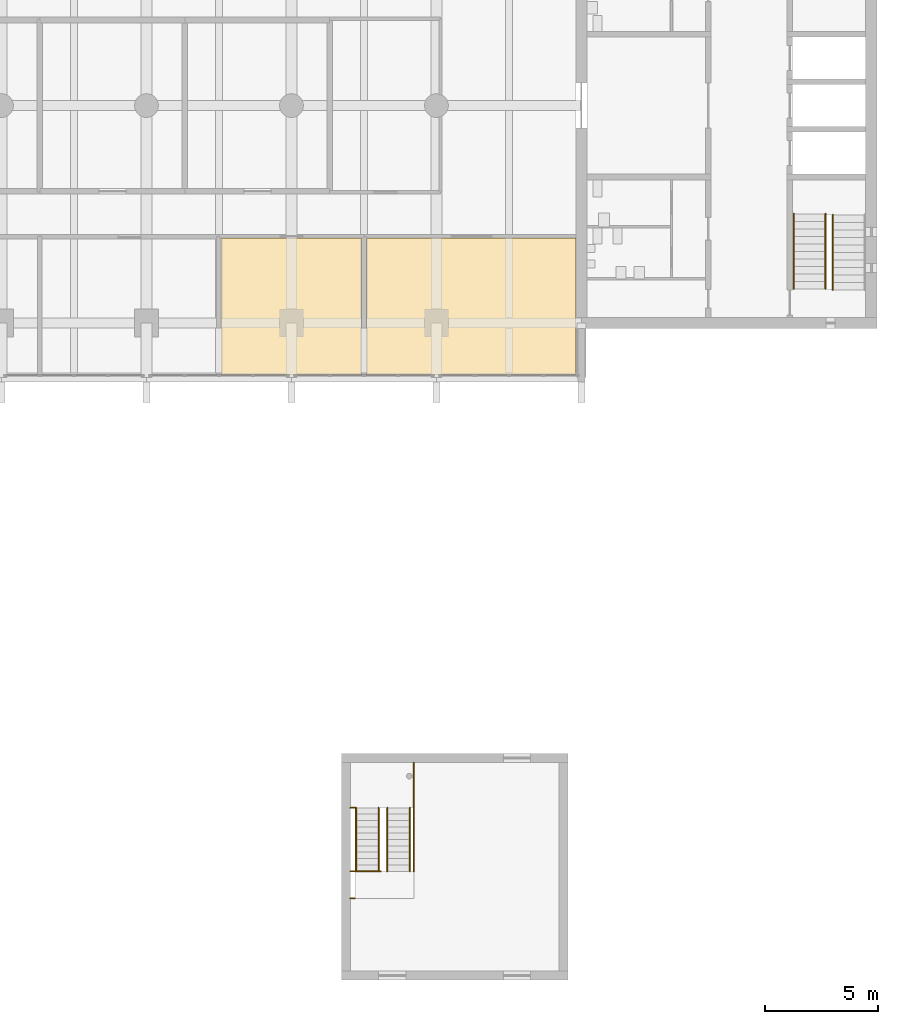
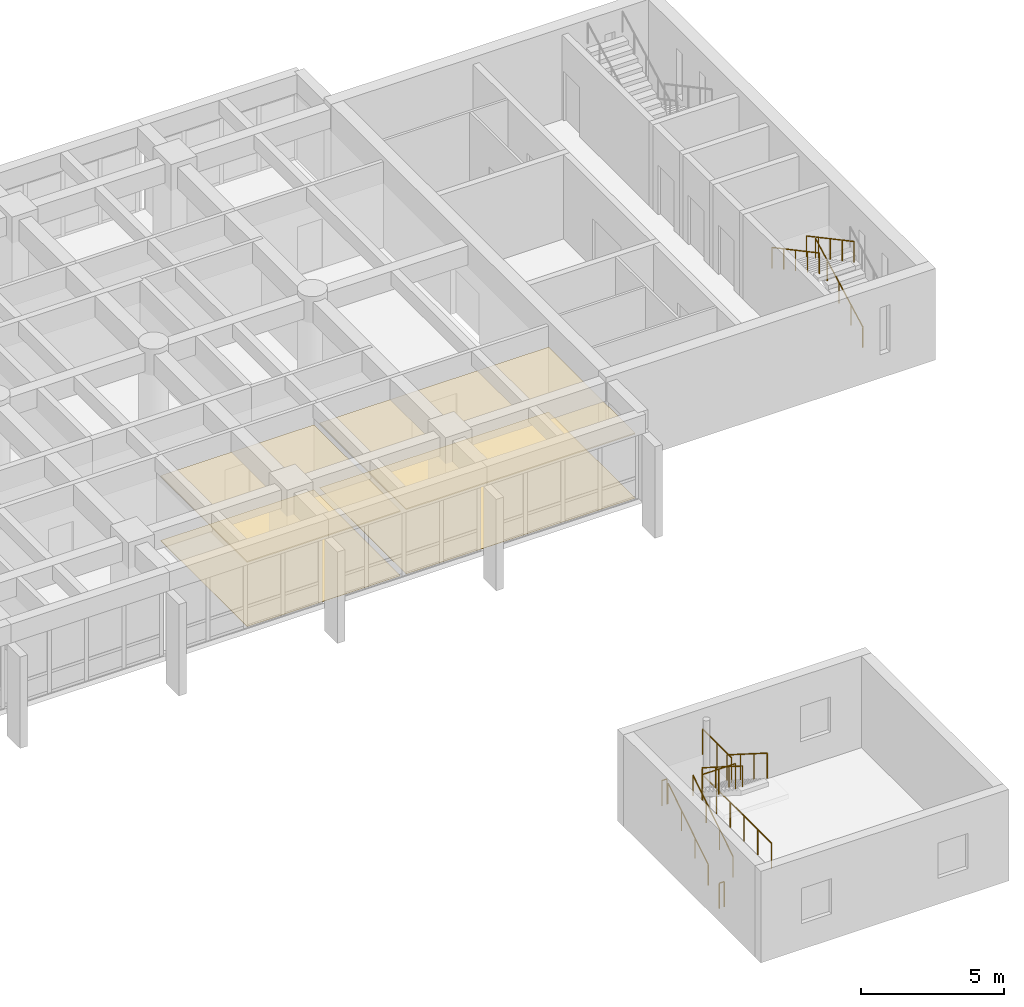
# One storey, part 17 of 19: 12 railings, 4 coverings.
"""IFC4 building model written with IfcOpenShell, lengths in metres."""

from ifc_helpers import new_model, si_unit, direction, frame, origin, origin_2d, place, context, subcontext, project, spatial, polyline, circle, outline, extrude, material, layer, layer_set, type_object, element, save


model = new_model("IFC4")

# Units and contexts
model_context = context("Model", 3, precision=1e-05, world=origin(), true_north=direction((0.0, 1.0)))
body_context = subcontext(model_context, "Body", "Model", "MODEL_VIEW")
ifc_project = project(units=[si_unit("LENGTHUNIT", "METRE"), si_unit("AREAUNIT", "SQUARE_METRE"), si_unit("VOLUMEUNIT", "CUBIC_METRE"), si_unit("PLANEANGLEUNIT", "RADIAN"), si_unit("MASSUNIT", "GRAM", prefix="KILO")], contexts=[model_context])

# Site, building, storey
site_placement = place(None, origin())
site = spatial("IfcSite", under=ifc_project, at=site_placement, CompositionType="ELEMENT")
building_placement = place(site_placement, origin())
building = spatial("IfcBuilding", under=site, at=building_placement, Name="Fogon Plaza Fire Station and Headquarters Tower", CompositionType="ELEMENT")
storey_placement = place(building_placement, frame((0.0, 0.0, 21.0)))
storey = spatial("IfcBuildingStorey", under=building, at=storey_placement, Name="L05", CompositionType="ELEMENT", Elevation=21.0)

# Railings
ifc_material_1 = material(Name="Stainless Steel", Category="steel")
railing_type_1 = type_object("IfcRailingType", Name="Guard Steel 1100", PredefinedType="GUARDRAIL", material=ifc_material_1)
railing_1_placement = place(storey_placement, frame((56.60009765625, 9.39990234375, 0.0)))
element("IfcRailing", 1, at=railing_1_placement, inside=storey, type_object=railing_type_1, Name="rail-DT1-L05-edge", PredefinedType="GUARDRAIL", context=body_context, shape_type="SweptSolid", body=[
    extrude(circle(Radius=0.02392578125, at=origin_2d()), frame((0.0, 0.0, 1.076171875), z_axis=(0.0, 1.0, 0.0), x_axis=(-1.0, 0.0, 0.0)), (0.0, 0.0, 1.0), 4.800048828125),
    extrude(circle(Radius=0.02099609375, at=origin_2d()), origin(), (0.0, 0.0, 1.0), 1.052001953125),
    extrude(circle(Radius=0.02099609375, at=origin_2d()), frame((0.0, 0.9599609375, 0.0)), (0.0, 0.0, 1.0), 1.052001953125),
    extrude(circle(Radius=0.02099609375, at=origin_2d()), frame((0.0, 1.919921875, 0.0)), (0.0, 0.0, 1.0), 1.052001953125),
    extrude(circle(Radius=0.02099609375, at=origin_2d()), frame((0.0, 2.880126953125, 0.0)), (0.0, 0.0, 1.0), 1.052001953125),
    extrude(circle(Radius=0.02099609375, at=origin_2d()), frame((0.0, 3.840087890625, 0.0)), (0.0, 0.0, 1.0), 1.052001953125),
    extrude(circle(Radius=0.02099609375, at=origin_2d()), frame((0.0, 4.800048828125, 0.0)), (0.0, 0.0, 1.0), 1.052001953125),
])
railing_2_placement = place(storey_placement, frame((53.800048828125, 8.199951171875, 0.0)))
element("IfcRailing", 2, at=railing_2_placement, inside=storey, type_object=railing_type_1, Name="rail-DT1-L05-slotmouth", PredefinedType="GUARDRAIL", context=body_context, shape_type="SweptSolid", body=[
    extrude(circle(Radius=0.02392578125, at=origin_2d()), frame((0.0, 0.0, 1.076171875), z_axis=(1.0, 0.0, 0.0), x_axis=(0.0, 1.0, 0.0)), (0.0, 0.0, 1.0), 0.199951171875),
    extrude(circle(Radius=0.02099609375, at=origin_2d()), origin(), (0.0, 0.0, 1.0), 1.052001953125),
    extrude(circle(Radius=0.02099609375, at=origin_2d()), frame((0.199951171875, 0.0, 0.0)), (0.0, 0.0, 1.0), 1.052001953125),
])
railing_3_placement = place(storey_placement, frame((56.429931640625, 12.199951171875, 2.127197265625)))
element("IfcRailing", 3, at=railing_3_placement, inside=storey, type_object=railing_type_1, Name="rail-DT1-L05-4", PredefinedType="GUARDRAIL", context=body_context, shape_type="SweptSolid", body=[
    extrude(circle(Radius=0.02392578125, at=origin_2d()), frame((0.0, 0.0, 1.076171875), z_axis=(0.0, -0.844908973607, 0.534910110503), x_axis=(1.0, 0.0, 0.0)), (0.0, 0.0, 1.0), 3.31396484375),
    extrude(circle(Radius=0.02099609375, at=origin_2d()), origin(), (0.0, 0.0, 1.0), 1.052001953125),
    extrude(circle(Radius=0.02099609375, at=origin_2d()), frame((0.0, -0.933349609375, 0.5908203125)), (0.0, 0.0, 1.0), 1.052001953125),
    extrude(circle(Radius=0.02099609375, at=origin_2d()), frame((0.0, -1.86669921875, 1.181884765625)), (0.0, 0.0, 1.0), 1.052001953125),
    extrude(circle(Radius=0.02099609375, at=origin_2d()), frame((0.0, -2.800048828125, 1.772705078125)), (0.0, 0.0, 1.0), 1.052001953125),
])
railing_4_placement = place(storey_placement, frame((53.800048828125, 9.39990234375, 3.89990234375)))
element("IfcRailing", 4, at=railing_4_placement, inside=storey, type_object=railing_type_1, Name="rail-DT1-L05-5", PredefinedType="GUARDRAIL", context=body_context, shape_type="SweptSolid", body=[
    extrude(circle(Radius=0.02392578125, at=origin_2d()), frame((0.0, 0.0, 1.076171875), z_axis=(1.0, 0.0, 0.0), x_axis=(0.0, 1.0, 0.0)), (0.0, 0.0, 1.0), 1.349853515625),
    extrude(circle(Radius=0.02099609375, at=origin_2d()), origin(), (0.0, 0.0, 1.0), 1.052001953125),
    extrude(circle(Radius=0.02099609375, at=origin_2d()), frame((0.6748046875, 0.0, 0.0)), (0.0, 0.0, 1.0), 1.052001953125),
    extrude(circle(Radius=0.02099609375, at=origin_2d()), frame((1.349853515625, 0.0, 0.0)), (0.0, 0.0, 1.0), 1.052001953125),
])
railing_5_placement = place(storey_placement, frame((56.60009765625, 12.199951171875, 1.949951171875)))
element("IfcRailing", 5, at=railing_5_placement, inside=storey, type_object=railing_type_1, Name="rail-DT1-L05-half", PredefinedType="GUARDRAIL", context=body_context, shape_type="SweptSolid", body=[
    extrude(circle(Radius=0.02392578125, at=origin_2d()), frame((0.0, 0.0, 1.076171875), z_axis=(0.0, 1.0, 0.0), x_axis=(-1.0, 0.0, 0.0)), (0.0, 0.0, 1.0), 2.0),
    extrude(circle(Radius=0.02099609375, at=origin_2d()), origin(), (0.0, 0.0, 1.0), 1.052001953125),
    extrude(circle(Radius=0.02099609375, at=origin_2d()), frame((0.0, 1.0, 0.0)), (0.0, 0.0, 1.0), 1.052001953125),
    extrude(circle(Radius=0.02099609375, at=origin_2d()), frame((0.0, 2.0, 0.0)), (0.0, 0.0, 1.0), 1.052001953125),
])
railing_6_placement = place(storey_placement, frame((53.800048828125, 12.199951171875, 1.949951171875)))
element("IfcRailing", 6, at=railing_6_placement, inside=storey, type_object=railing_type_1, Name="rail-DT1-L05-slot", PredefinedType="GUARDRAIL", context=body_context, shape_type="SweptSolid", body=[
    extrude(circle(Radius=0.02392578125, at=origin_2d()), frame((0.0, 0.0, 1.076171875), z_axis=(1.0, 0.0, 0.0), x_axis=(0.0, 1.0, 0.0)), (0.0, 0.0, 1.0), 0.199951171875),
    extrude(circle(Radius=0.02099609375, at=origin_2d()), origin(), (0.0, 0.0, 1.0), 1.052001953125),
    extrude(circle(Radius=0.02099609375, at=origin_2d()), frame((0.199951171875, 0.0, 0.0)), (0.0, 0.0, 1.0), 1.052001953125),
])
ifc_material_2 = material(Name="Steel", Category="steel")
railing_type_2 = type_object("IfcRailingType", Name="Stair Handrail 900", PredefinedType="HANDRAIL", material=ifc_material_2)
railing_7_placement = place(storey_placement, frame((75.10009765625, 35.06005859375, 0.17724609375)))
element("IfcRailing", 7, at=railing_7_placement, inside=storey, type_object=railing_type_2, Name="Handrail ST3", PredefinedType="HANDRAIL", context=body_context, shape_type="SweptSolid", body=[
    extrude(circle(Radius=0.02392578125, at=origin_2d()), frame((0.0, 0.0, 0.8759765625), z_axis=(0.0, 0.881829236777, 0.471568867892), x_axis=(-1.0, 0.0, 0.0)), (0.0, 0.0, 1.0), 3.75927734375),
    extrude(circle(Radius=0.02099609375, at=origin_2d()), origin(), (0.0, 0.0, 1.0), 0.851806640625),
    extrude(circle(Radius=0.02099609375, at=origin_2d()), frame((0.0, 0.82861328125, 0.443115234375)), (0.0, 0.0, 1.0), 0.851806640625),
    extrude(circle(Radius=0.02099609375, at=origin_2d()), frame((0.0, 1.657470703125, 0.88623046875)), (0.0, 0.0, 1.0), 0.851806640625),
    extrude(circle(Radius=0.02099609375, at=origin_2d()), frame((0.0, 2.486328125, 1.32958984375)), (0.0, 0.0, 1.0), 0.851806640625),
    extrude(circle(Radius=0.02099609375, at=origin_2d()), frame((0.0, 3.31494140625, 1.772705078125)), (0.0, 0.0, 1.0), 0.851806640625),
])
for number, where, name in (
    (8, (73.375, 38.425048828125, 2.127197265625), "Handrail ST3"),
    (9, (74.77490234375, 38.425048828125, 2.127197265625), "Handrail ST3"),
):
    element("IfcRailing", number, at=place(storey_placement, frame(where)), inside=storey, type_object=railing_type_2, Name=name, PredefinedType="HANDRAIL", context=body_context, shape_type="SweptSolid", body=[
        extrude(circle(Radius=0.02392578125, at=origin_2d()), frame((0.0, 0.0, 0.8759765625), z_axis=(0.0, -0.881829236777, 0.471568867892), x_axis=(1.0, 0.0, 0.0)), (0.0, 0.0, 1.0), 3.75927734375),
        extrude(circle(Radius=0.02099609375, at=origin_2d()), origin(), (0.0, 0.0, 1.0), 0.851806640625),
        extrude(circle(Radius=0.02099609375, at=origin_2d()), frame((0.0, -0.82861328125, 0.443115234375)), (0.0, 0.0, 1.0), 0.851806640625),
        extrude(circle(Radius=0.02099609375, at=origin_2d()), frame((0.0, -1.657470703125, 0.88623046875)), (0.0, 0.0, 1.0), 0.851806640625),
        extrude(circle(Radius=0.02099609375, at=origin_2d()), frame((0.0, -2.486328125, 1.32958984375)), (0.0, 0.0, 1.0), 0.851806640625),
        extrude(circle(Radius=0.02099609375, at=origin_2d()), frame((0.0, -3.31494140625, 1.772705078125)), (0.0, 0.0, 1.0), 0.851806640625),
    ])
ifc_material_3 = material(Name="Stainless Steel", Category="steel")
railing_type_3 = type_object("IfcRailingType", Name="Stair Handrail Steel 900", PredefinedType="HANDRAIL", material=ifc_material_3)
for number, where, name in (
    (10, (54.050048828125, 9.39990234375, 0.17724609375), "rail-DT1-L05-1"),
    (11, (55.050048828125, 9.39990234375, 0.17724609375), "rail-DT1-L05-2"),
):
    element("IfcRailing", number, at=place(storey_placement, frame(where)), inside=storey, type_object=railing_type_3, Name=name, PredefinedType="HANDRAIL", context=body_context, shape_type="SweptSolid", body=[
        extrude(circle(Radius=0.02392578125, at=origin_2d()), frame((0.0, 0.0, 0.8759765625), z_axis=(0.0, 0.844908973607, 0.534910110503), x_axis=(-1.0, 0.0, 0.0)), (0.0, 0.0, 1.0), 3.31396484375),
        extrude(circle(Radius=0.02099609375, at=origin_2d()), origin(), (0.0, 0.0, 1.0), 0.851806640625),
        extrude(circle(Radius=0.02099609375, at=origin_2d()), frame((0.0, 0.933349609375, 0.5908203125)), (0.0, 0.0, 1.0), 0.851806640625),
        extrude(circle(Radius=0.02099609375, at=origin_2d()), frame((0.0, 1.86669921875, 1.181884765625)), (0.0, 0.0, 1.0), 0.851806640625),
        extrude(circle(Radius=0.02099609375, at=origin_2d()), frame((0.0, 2.800048828125, 1.772705078125)), (0.0, 0.0, 1.0), 0.851806640625),
    ])
railing_8_placement = place(storey_placement, frame((55.429931640625, 12.199951171875, 2.127197265625)))
element("IfcRailing", 12, at=railing_8_placement, inside=storey, type_object=railing_type_3, Name="rail-DT1-L05-3", PredefinedType="HANDRAIL", context=body_context, shape_type="SweptSolid", body=[
    extrude(circle(Radius=0.02392578125, at=origin_2d()), frame((0.0, 0.0, 0.8759765625), z_axis=(0.0, -0.844908973607, 0.534910110503), x_axis=(1.0, 0.0, 0.0)), (0.0, 0.0, 1.0), 3.31396484375),
    extrude(circle(Radius=0.02099609375, at=origin_2d()), origin(), (0.0, 0.0, 1.0), 0.851806640625),
    extrude(circle(Radius=0.02099609375, at=origin_2d()), frame((0.0, -0.933349609375, 0.5908203125)), (0.0, 0.0, 1.0), 0.851806640625),
    extrude(circle(Radius=0.02099609375, at=origin_2d()), frame((0.0, -1.86669921875, 1.181884765625)), (0.0, 0.0, 1.0), 0.851806640625),
    extrude(circle(Radius=0.02099609375, at=origin_2d()), frame((0.0, -2.800048828125, 1.772705078125)), (0.0, 0.0, 1.0), 0.851806640625),
])

# Coverings
ifc_material_4 = material(Name="Acoustic ceiling tile")
ifc_layer_1 = layer(ifc_material_4, 0.050048828125)
ifc_layer_set_1 = layer_set([ifc_layer_1], Name="Acoustic ceiling tile")
covering_type_1 = type_object("IfcCoveringType", Name="Tower acoustic ceiling", PredefinedType="CEILING", material=ifc_layer_set_1)
covering_1_placement = place(storey_placement, frame((0.0, 0.0, 2.72998046875)))
element("IfcCovering", 13, at=covering_1_placement, inside=storey, type_object=covering_type_1, Name="cov-cl-L05-03", PredefinedType="CEILING", context=body_context, shape_type="SweptSolid", body=[
    extrude(outline(polyline([(54.28759765625, 31.300048828125), (54.28759765625, 37.35009765625), (48.10009765625, 37.35009765625), (48.10009765625, 31.300048828125), (54.28759765625, 31.300048828125)])), origin(), (0.0, 0.0, 1.0), 0.050048828125),
])
covering_2_placement = place(storey_placement, frame((0.0, 0.0, 2.72998046875)))
element("IfcCovering", 14, at=covering_2_placement, inside=storey, type_object=covering_type_1, Name="cov-cl-L05-04", PredefinedType="CEILING", context=body_context, shape_type="SweptSolid", body=[
    extrude(outline(polyline([(63.75, 31.300048828125), (63.75, 37.35009765625), (54.512451171875, 37.35009765625), (54.512451171875, 31.300048828125), (63.75, 31.300048828125)])), origin(), (0.0, 0.0, 1.0), 0.050048828125),
])
ifc_material_5 = material(Name="Carpet tile")
ifc_layer_2 = layer(ifc_material_5, 0.011962890625)
ifc_layer_set_2 = layer_set([ifc_layer_2], Name="Carpet tile")
covering_type_2 = type_object("IfcCoveringType", Name="Tower carpet tile floor", PredefinedType="FLOORING", material=ifc_layer_set_2)
covering_3_placement = place(storey_placement, origin())
element("IfcCovering", 15, at=covering_3_placement, inside=storey, type_object=covering_type_2, Name="cov-fl-L05-03", PredefinedType="FLOORING", context=body_context, shape_type="SweptSolid", body=[
    extrude(outline(polyline([(54.28759765625, 31.300048828125), (54.28759765625, 37.35009765625), (48.10009765625, 37.35009765625), (48.10009765625, 31.300048828125), (54.28759765625, 31.300048828125)])), origin(), (0.0, 0.0, 1.0), 0.011962890625),
])
covering_4_placement = place(storey_placement, origin())
element("IfcCovering", 16, at=covering_4_placement, inside=storey, type_object=covering_type_2, Name="cov-fl-L05-04", PredefinedType="FLOORING", context=body_context, shape_type="SweptSolid", body=[
    extrude(outline(polyline([(63.75, 31.300048828125), (63.75, 37.35009765625), (54.512451171875, 37.35009765625), (54.512451171875, 31.300048828125), (63.75, 31.300048828125)])), origin(), (0.0, 0.0, 1.0), 0.011962890625),
])

save(model, "model.ifc")
